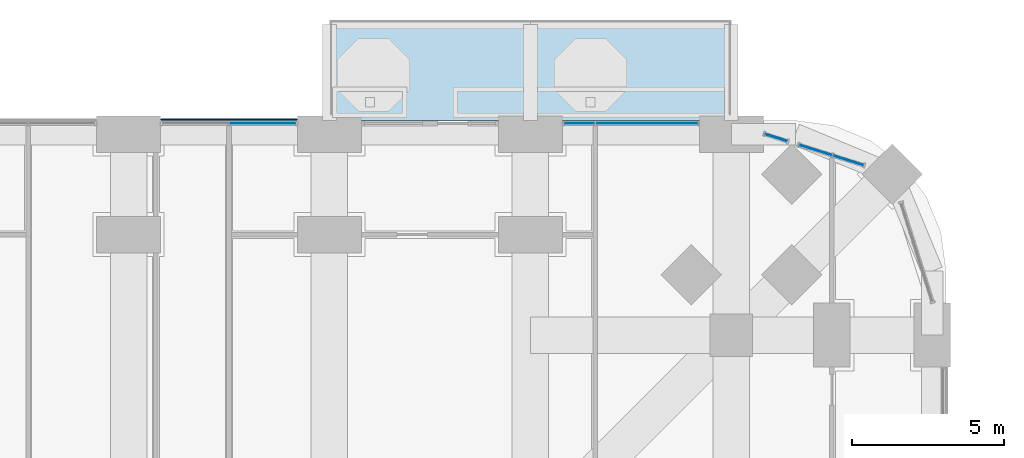
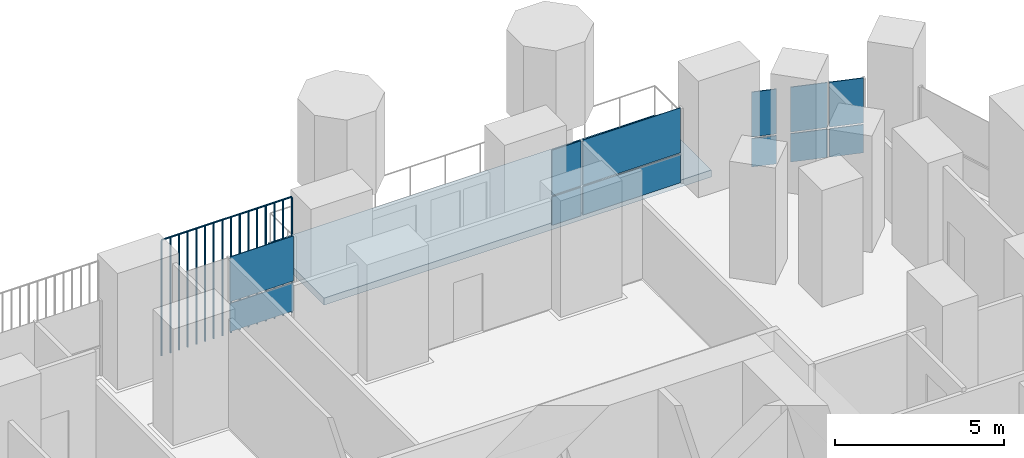
# One storey, part 17 of 27: 13 plates, 1 slab, 4 elements without a shape of their own.
"""IFC4 building model written with IfcOpenShell, lengths in metres."""

from ifc_helpers import new_model, si_unit, direction, frame, origin, origin_2d, place, context, subcontext, project, spatial, polyline, rectangle, outline, extrude, material, layer, layer_set, type_object, element, aggregate, save


model = new_model("IFC4")

# Units and contexts
model_context = context("Model", 3, precision=1e-05, world=origin(), true_north=direction((0.0, 1.0)))
body_context = subcontext(model_context, "Body", "Model", "MODEL_VIEW")
ifc_project = project(units=[si_unit("LENGTHUNIT", "METRE"), si_unit("AREAUNIT", "SQUARE_METRE"), si_unit("VOLUMEUNIT", "CUBIC_METRE"), si_unit("PLANEANGLEUNIT", "RADIAN"), si_unit("MASSUNIT", "GRAM", prefix="KILO")], contexts=[model_context])

# Site, building, storey
site_placement = place(None, origin())
site = spatial("IfcSite", under=ifc_project, at=site_placement, CompositionType="ELEMENT")
building_placement = place(site_placement, origin())
building = spatial("IfcBuilding", under=site, at=building_placement, Name="Cobogo Forest Laboratory Tower", CompositionType="ELEMENT")
storey_placement = place(building_placement, frame((0.0, 0.0, 29.699951171875)))
storey = spatial("IfcBuildingStorey", under=building, at=storey_placement, Name="L06", CompositionType="ELEMENT", Elevation=29.699951171875)

# Slab
ifc_material_1 = material(Name="Concrete HA-40 (C40/50)", Category="concrete")
ifc_layer_1 = layer(ifc_material_1, 0.25)
ifc_layer_set_1 = layer_set([ifc_layer_1], Name="Balcony slab 250")
slab_type = type_object("IfcSlabType", Name="Balcony slab 250", PredefinedType="FLOOR", material=ifc_layer_set_1)
slab_placement = place(storey_placement, frame((0.0, 0.0, -0.25)))
element("IfcSlab", 1, at=slab_placement, inside=storey, type_object=slab_type, Name="Balcony BAL-N2 L06", PredefinedType="FLOOR", context=body_context, shape_type="SweptSolid", body=[
    extrude(outline(polyline([(33.0, 46.64990234375), (46.199951171875, 46.64990234375), (46.199951171875, 49.949951171875), (33.0, 49.949951171875), (33.0, 46.64990234375)])), origin(), (0.0, 0.0, 1.0), 0.25),
])

# Curtain wall, plates
ifc_material_2 = material(Name="Aluminium curtain wall", Category="aluminium")
curtain_wall_type = type_object("IfcCurtainWallType", Name="CW-1 unitised curtain wall, clear glazing, laboratory floors zones A and B", PredefinedType="USERDEFINED", material=ifc_material_2)
curtain_wall_1_placement = place(storey_placement, origin())
curtain_wall_1 = element("IfcCurtainWall", 2, at=curtain_wall_1_placement, inside=storey, type_object=curtain_wall_type, Name="Curtain wall 16 L06", ObjectType="UNITISED CURTAIN WALL", PredefinedType="USERDEFINED")
ifc_material_3 = material(Name="Clear insulated glass", Category="glass")
ifc_layer_2 = layer(ifc_material_3, 0.028076171875)
ifc_layer_set_2 = layer_set([ifc_layer_2], Name="GP-1 clear insulated glass unit 28")
plate_type_1 = type_object("IfcPlateType", Name="GP-1 clear insulated glass unit 28", PredefinedType="CURTAIN_PANEL", material=ifc_layer_set_2)
plate_1_placement = place(storey_placement, frame((50.042724609375, 45.33642578125, 0.0), z_axis=(0.0, 0.0, 1.0), x_axis=(-0.953581409645, 0.301135343623, 0.0)))
plate_1 = element("IfcPlate", 3, at=plate_1_placement, type_object=plate_type_1, Name="CW-1 panel 1.1", PredefinedType="CURTAIN_PANEL", context=body_context, shape_type="SweptSolid", body=[
    extrude(rectangle(XDim=1.027587890625, YDim=0.028076171875, at=origin_2d()), origin(), (0.0, 0.0, 1.0), 1.02001953125),
])
plate_2_placement = place(storey_placement, frame((50.042724609375, 45.33642578125, 1.080078125), z_axis=(0.0, 0.0, 1.0), x_axis=(-0.953581409645, 0.301135343623, 0.0)))
plate_2 = element("IfcPlate", 4, at=plate_2_placement, type_object=plate_type_1, Name="CW-1 panel 1.2", PredefinedType="CURTAIN_PANEL", context=body_context, shape_type="SweptSolid", body=[
    extrude(rectangle(XDim=1.027587890625, YDim=0.028076171875, at=origin_2d()), origin(), (0.0, 0.0, 1.0), 1.6201171875),
])
plate_3_placement = place(storey_placement, frame((48.963623046875, 45.67724609375, 0.0), z_axis=(0.0, 0.0, 1.0), x_axis=(-0.953581409645, 0.301135343623, 0.0)))
plate_3 = element("IfcPlate", 5, at=plate_3_placement, type_object=plate_type_1, Name="CW-1 panel 2.1", PredefinedType="CURTAIN_PANEL", context=body_context, shape_type="SweptSolid", body=[
    extrude(rectangle(XDim=1.11572265625, YDim=0.028076171875, at=origin_2d()), origin(), (0.0, 0.0, 1.0), 1.02001953125),
])
plate_4_placement = place(storey_placement, frame((48.963623046875, 45.67724609375, 1.080078125), z_axis=(0.0, 0.0, 1.0), x_axis=(-0.953581409645, 0.301135343623, 0.0)))
plate_4 = element("IfcPlate", 6, at=plate_4_placement, type_object=plate_type_1, Name="CW-1 panel 2.2", PredefinedType="CURTAIN_PANEL", context=body_context, shape_type="SweptSolid", body=[
    extrude(rectangle(XDim=1.11572265625, YDim=0.028076171875, at=origin_2d()), origin(), (0.0, 0.0, 1.0), 1.6201171875),
])
aggregate(curtain_wall_1, [plate_1, plate_2, plate_3, plate_4])

curtain_wall_2_placement = place(storey_placement, origin())
curtain_wall_2 = element("IfcCurtainWall", 7, at=curtain_wall_2_placement, inside=storey, type_object=curtain_wall_type, Name="Curtain wall 17 L06", ObjectType="UNITISED CURTAIN WALL", PredefinedType="USERDEFINED")
plate_5_placement = place(storey_placement, frame((47.666015625, 46.087158203125, 0.0), z_axis=(0.0, 0.0, 1.0), x_axis=(-0.953581504428, 0.301135043481, 0.0)))
plate_5 = element("IfcPlate", 8, at=plate_5_placement, type_object=plate_type_1, Name="CW-1 panel 1.1", PredefinedType="CURTAIN_PANEL", context=body_context, shape_type="SweptSolid", body=[
    extrude(rectangle(XDim=0.75244140625, YDim=0.028076171875, at=origin_2d()), origin(), (0.0, 0.0, 1.0), 1.02001953125),
])
plate_6_placement = place(storey_placement, frame((47.666015625, 46.087158203125, 1.080078125), z_axis=(0.0, 0.0, 1.0), x_axis=(-0.953581504428, 0.301135043481, 0.0)))
plate_6 = element("IfcPlate", 9, at=plate_6_placement, type_object=plate_type_1, Name="CW-1 panel 1.2", PredefinedType="CURTAIN_PANEL", context=body_context, shape_type="SweptSolid", body=[
    extrude(rectangle(XDim=0.75244140625, YDim=0.028076171875, at=origin_2d()), origin(), (0.0, 0.0, 1.0), 1.6201171875),
])
aggregate(curtain_wall_2, [plate_5, plate_6])

curtain_wall_3_placement = place(storey_placement, origin())
curtain_wall_3 = element("IfcCurtainWall", 10, at=curtain_wall_3_placement, inside=storey, type_object=curtain_wall_type, Name="Curtain wall 18 L06", ObjectType="UNITISED CURTAIN WALL", PredefinedType="USERDEFINED")
plate_7_placement = place(storey_placement, frame((43.422607421875, 46.550048828125, 0.0), z_axis=(0.0, 0.0, 1.0), x_axis=(-1.0, 0.0, 0.0)))
plate_7 = element("IfcPlate", 11, at=plate_7_placement, type_object=plate_type_1, Name="CW-1 panel 1.1", PredefinedType="CURTAIN_PANEL", context=body_context, shape_type="SweptSolid", body=[
    extrude(rectangle(XDim=3.3349609375, YDim=0.028076171875, at=origin_2d()), origin(), (0.0, 0.0, 1.0), 1.02001953125),
])
plate_8_placement = place(storey_placement, frame((43.422607421875, 46.550048828125, 1.080078125), z_axis=(0.0, 0.0, 1.0), x_axis=(-1.0, 0.0, 0.0)))
plate_8 = element("IfcPlate", 12, at=plate_8_placement, type_object=plate_type_1, Name="CW-1 panel 1.2", PredefinedType="CURTAIN_PANEL", context=body_context, shape_type="SweptSolid", body=[
    extrude(rectangle(XDim=3.3349609375, YDim=0.028076171875, at=origin_2d()), origin(), (0.0, 0.0, 1.0), 1.6201171875),
])
plate_9_placement = place(storey_placement, frame((41.202392578125, 46.550048828125, 0.0), z_axis=(0.0, 0.0, 1.0), x_axis=(-1.0, 0.0, 0.0)))
plate_9 = element("IfcPlate", 13, at=plate_9_placement, type_object=plate_type_1, Name="CW-1 panel 2.1", PredefinedType="CURTAIN_PANEL", context=body_context, shape_type="SweptSolid", body=[
    extrude(rectangle(XDim=0.985107421875, YDim=0.028076171875, at=origin_2d()), origin(), (0.0, 0.0, 1.0), 1.02001953125),
])
plate_10_placement = place(storey_placement, frame((41.202392578125, 46.550048828125, 1.080078125), z_axis=(0.0, 0.0, 1.0), x_axis=(-1.0, 0.0, 0.0)))
plate_10 = element("IfcPlate", 14, at=plate_10_placement, type_object=plate_type_1, Name="CW-1 panel 2.2", PredefinedType="CURTAIN_PANEL", context=body_context, shape_type="SweptSolid", body=[
    extrude(rectangle(XDim=0.985107421875, YDim=0.028076171875, at=origin_2d()), origin(), (0.0, 0.0, 1.0), 1.6201171875),
])
aggregate(curtain_wall_3, [plate_7, plate_8, plate_9, plate_10])

curtain_wall_4_placement = place(storey_placement, origin())
curtain_wall_4 = element("IfcCurtainWall", 15, at=curtain_wall_4_placement, inside=storey, type_object=curtain_wall_type, Name="Curtain wall 20 L06", ObjectType="UNITISED CURTAIN WALL", PredefinedType="USERDEFINED")
plate_11_placement = place(storey_placement, frame((30.81005859375, 46.550048828125, 0.0), z_axis=(0.0, 0.0, 1.0), x_axis=(-1.0, 0.0, 0.0)))
plate_11 = element("IfcPlate", 16, at=plate_11_placement, type_object=plate_type_1, Name="CW-1 panel 1.1", PredefinedType="CURTAIN_PANEL", context=body_context, shape_type="SweptSolid", body=[
    extrude(rectangle(XDim=2.159912109375, YDim=0.028076171875, at=origin_2d()), origin(), (0.0, 0.0, 1.0), 1.02001953125),
])
plate_12_placement = place(storey_placement, frame((30.81005859375, 46.550048828125, 1.080078125), z_axis=(0.0, 0.0, 1.0), x_axis=(-1.0, 0.0, 0.0)))
plate_12 = element("IfcPlate", 17, at=plate_12_placement, type_object=plate_type_1, Name="CW-1 panel 1.2", PredefinedType="CURTAIN_PANEL", context=body_context, shape_type="SweptSolid", body=[
    extrude(rectangle(XDim=2.159912109375, YDim=0.028076171875, at=origin_2d()), origin(), (0.0, 0.0, 1.0), 1.6201171875),
])
aggregate(curtain_wall_4, [plate_11, plate_12])

# Plate
ifc_material_4 = material(Name="Terracotta", Category="masonry")
plate_type_2 = type_object("IfcPlateType", Name="TB1 terracotta baguette screen", PredefinedType="USERDEFINED", material=ifc_material_4)
plate_13_placement = place(storey_placement, frame((27.481201171875, 46.677978515625, -0.14990234375)))
element("IfcPlate", 18, at=plate_13_placement, inside=storey, type_object=plate_type_2, Name="Baguette screen N4 L06", ObjectType="BAGUETTE SCREEN", PredefinedType="USERDEFINED", context=body_context, shape_type="SweptSolid", body=[
    extrude(outline(polyline([(0.02880859375, 0.011962890625), (0.011962890625, 0.02880859375), (-0.011962890625, 0.02880859375), (-0.02880859375, 0.011962890625), (-0.02880859375, -0.011962890625), (-0.011962890625, -0.02880859375), (0.011962890625, -0.02880859375), (0.02880859375, -0.011962890625), (0.02880859375, 0.011962890625)])), frame((0.0, 0.0, 4.168701171875), z_axis=(1.0, 0.0, 0.0), x_axis=(0.0, 1.0, 0.0)), (0.0, 0.0, 1.0), 4.4375),
    extrude(outline(polyline([(0.02880859375, 0.011962890625), (0.011962890625, 0.02880859375), (-0.011962890625, 0.02880859375), (-0.02880859375, 0.011962890625), (-0.02880859375, -0.011962890625), (-0.011962890625, -0.02880859375), (0.011962890625, -0.02880859375), (0.02880859375, -0.011962890625), (0.02880859375, 0.011962890625)])), origin(), (0.0, 0.0, 1.0), 4.137451171875),
    extrude(outline(polyline([(0.02880859375, 0.011962890625), (0.011962890625, 0.02880859375), (-0.011962890625, 0.02880859375), (-0.02880859375, 0.011962890625), (-0.02880859375, -0.011962890625), (-0.011962890625, -0.02880859375), (0.011962890625, -0.02880859375), (0.02880859375, -0.011962890625), (0.02880859375, 0.011962890625)])), frame((0.2958984375, 0.0, 0.0)), (0.0, 0.0, 1.0), 4.137451171875),
    extrude(outline(polyline([(0.02880859375, 0.011962890625), (0.011962890625, 0.02880859375), (-0.011962890625, 0.02880859375), (-0.02880859375, 0.011962890625), (-0.02880859375, -0.011962890625), (-0.011962890625, -0.02880859375), (0.011962890625, -0.02880859375), (0.02880859375, -0.011962890625), (0.02880859375, 0.011962890625)])), frame((0.591552734375, 0.0, 0.0)), (0.0, 0.0, 1.0), 4.137451171875),
    extrude(outline(polyline([(0.02880859375, 0.011962890625), (0.011962890625, 0.02880859375), (-0.011962890625, 0.02880859375), (-0.02880859375, 0.011962890625), (-0.02880859375, -0.011962890625), (-0.011962890625, -0.02880859375), (0.011962890625, -0.02880859375), (0.02880859375, -0.011962890625), (0.02880859375, 0.011962890625)])), frame((0.887451171875, 0.0, 0.0)), (0.0, 0.0, 1.0), 4.137451171875),
    extrude(outline(polyline([(0.02880859375, 0.011962890625), (0.011962890625, 0.02880859375), (-0.011962890625, 0.02880859375), (-0.02880859375, 0.011962890625), (-0.02880859375, -0.011962890625), (-0.011962890625, -0.02880859375), (0.011962890625, -0.02880859375), (0.02880859375, -0.011962890625), (0.02880859375, 0.011962890625)])), frame((1.183349609375, 0.0, 0.0)), (0.0, 0.0, 1.0), 4.137451171875),
    extrude(outline(polyline([(0.02880859375, 0.011962890625), (0.011962890625, 0.02880859375), (-0.011962890625, 0.02880859375), (-0.02880859375, 0.011962890625), (-0.02880859375, -0.011962890625), (-0.011962890625, -0.02880859375), (0.011962890625, -0.02880859375), (0.02880859375, -0.011962890625), (0.02880859375, 0.011962890625)])), frame((1.479248046875, 0.0, 0.0)), (0.0, 0.0, 1.0), 4.137451171875),
    extrude(outline(polyline([(0.02880859375, 0.011962890625), (0.011962890625, 0.02880859375), (-0.011962890625, 0.02880859375), (-0.02880859375, 0.011962890625), (-0.02880859375, -0.011962890625), (-0.011962890625, -0.02880859375), (0.011962890625, -0.02880859375), (0.02880859375, -0.011962890625), (0.02880859375, 0.011962890625)])), frame((1.77490234375, 0.0, 0.0)), (0.0, 0.0, 1.0), 4.137451171875),
    extrude(outline(polyline([(0.02880859375, 0.011962890625), (0.011962890625, 0.02880859375), (-0.011962890625, 0.02880859375), (-0.02880859375, 0.011962890625), (-0.02880859375, -0.011962890625), (-0.011962890625, -0.02880859375), (0.011962890625, -0.02880859375), (0.02880859375, -0.011962890625), (0.02880859375, 0.011962890625)])), frame((2.07080078125, 0.0, 0.0)), (0.0, 0.0, 1.0), 4.137451171875),
    extrude(outline(polyline([(0.02880859375, 0.011962890625), (0.011962890625, 0.02880859375), (-0.011962890625, 0.02880859375), (-0.02880859375, 0.011962890625), (-0.02880859375, -0.011962890625), (-0.011962890625, -0.02880859375), (0.011962890625, -0.02880859375), (0.02880859375, -0.011962890625), (0.02880859375, 0.011962890625)])), frame((2.36669921875, 0.0, 0.0)), (0.0, 0.0, 1.0), 4.137451171875),
    extrude(outline(polyline([(0.02880859375, 0.011962890625), (0.011962890625, 0.02880859375), (-0.011962890625, 0.02880859375), (-0.02880859375, 0.011962890625), (-0.02880859375, -0.011962890625), (-0.011962890625, -0.02880859375), (0.011962890625, -0.02880859375), (0.02880859375, -0.011962890625), (0.02880859375, 0.011962890625)])), frame((2.66259765625, 0.0, 0.0)), (0.0, 0.0, 1.0), 4.137451171875),
    extrude(outline(polyline([(0.02880859375, 0.011962890625), (0.011962890625, 0.02880859375), (-0.011962890625, 0.02880859375), (-0.02880859375, 0.011962890625), (-0.02880859375, -0.011962890625), (-0.011962890625, -0.02880859375), (0.011962890625, -0.02880859375), (0.02880859375, -0.011962890625), (0.02880859375, 0.011962890625)])), frame((2.958251953125, 0.0, 0.0)), (0.0, 0.0, 1.0), 4.137451171875),
    extrude(outline(polyline([(0.02880859375, 0.011962890625), (0.011962890625, 0.02880859375), (-0.011962890625, 0.02880859375), (-0.02880859375, 0.011962890625), (-0.02880859375, -0.011962890625), (-0.011962890625, -0.02880859375), (0.011962890625, -0.02880859375), (0.02880859375, -0.011962890625), (0.02880859375, 0.011962890625)])), frame((3.254150390625, 0.0, 0.0)), (0.0, 0.0, 1.0), 4.137451171875),
    extrude(outline(polyline([(0.02880859375, 0.011962890625), (0.011962890625, 0.02880859375), (-0.011962890625, 0.02880859375), (-0.02880859375, 0.011962890625), (-0.02880859375, -0.011962890625), (-0.011962890625, -0.02880859375), (0.011962890625, -0.02880859375), (0.02880859375, -0.011962890625), (0.02880859375, 0.011962890625)])), frame((3.550048828125, 0.0, 0.0)), (0.0, 0.0, 1.0), 4.137451171875),
    extrude(outline(polyline([(0.02880859375, 0.011962890625), (0.011962890625, 0.02880859375), (-0.011962890625, 0.02880859375), (-0.02880859375, 0.011962890625), (-0.02880859375, -0.011962890625), (-0.011962890625, -0.02880859375), (0.011962890625, -0.02880859375), (0.02880859375, -0.011962890625), (0.02880859375, 0.011962890625)])), frame((3.845947265625, 0.0, 0.0)), (0.0, 0.0, 1.0), 4.137451171875),
    extrude(outline(polyline([(0.02880859375, 0.011962890625), (0.011962890625, 0.02880859375), (-0.011962890625, 0.02880859375), (-0.02880859375, 0.011962890625), (-0.02880859375, -0.011962890625), (-0.011962890625, -0.02880859375), (0.011962890625, -0.02880859375), (0.02880859375, -0.011962890625), (0.02880859375, 0.011962890625)])), frame((4.1416015625, 0.0, 0.0)), (0.0, 0.0, 1.0), 4.137451171875),
    extrude(outline(polyline([(0.02880859375, 0.011962890625), (0.011962890625, 0.02880859375), (-0.011962890625, 0.02880859375), (-0.02880859375, 0.011962890625), (-0.02880859375, -0.011962890625), (-0.011962890625, -0.02880859375), (0.011962890625, -0.02880859375), (0.02880859375, -0.011962890625), (0.02880859375, 0.011962890625)])), frame((4.4375, 0.0, 0.0)), (0.0, 0.0, 1.0), 4.137451171875),
])

save(model, "model.ifc")
